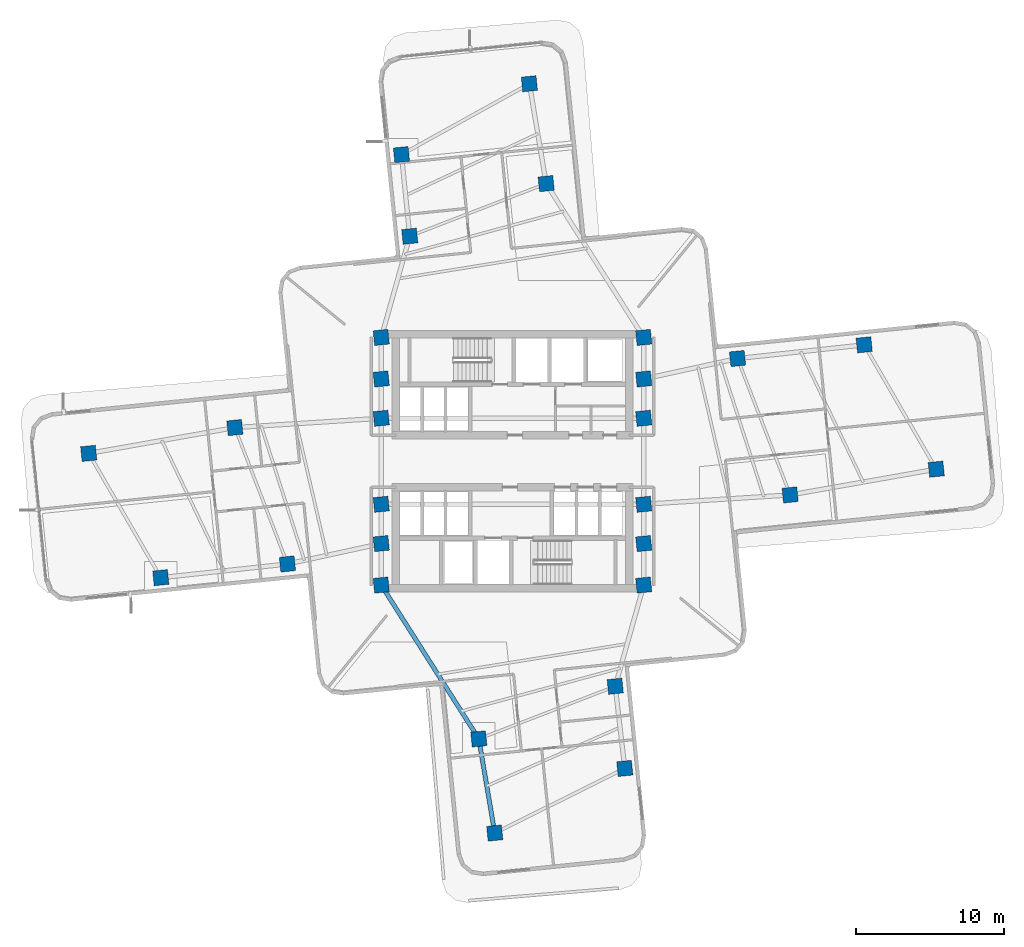
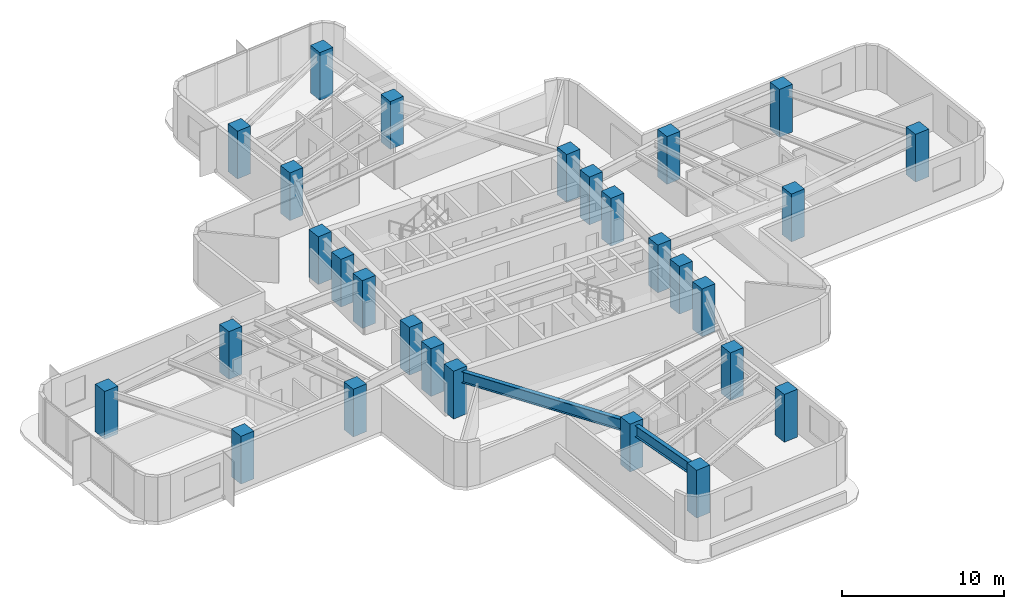
# One storey, part 1 of 14: 28 columns, 2 beams.
"""IFC4 building model written with IfcOpenShell, lengths in metres."""

from ifc_helpers import new_model, si_unit, direction, frame, origin, origin_2d, place, context, subcontext, project, spatial, rectangle, i_section, extrude, material, material_profile, profile_set, type_object, element, save


model = new_model("IFC4")

# Units and contexts
model_context = context("Model", 3, precision=1e-05, world=origin(), true_north=direction((0.0, 1.0)))
body_context = subcontext(model_context, "Body", "Model", "MODEL_VIEW")
ifc_project = project(units=[si_unit("LENGTHUNIT", "METRE"), si_unit("AREAUNIT", "SQUARE_METRE"), si_unit("VOLUMEUNIT", "CUBIC_METRE"), si_unit("PLANEANGLEUNIT", "RADIAN"), si_unit("MASSUNIT", "GRAM", prefix="KILO")], contexts=[model_context])

# Site, building, storey
site_placement = place(None, origin())
site = spatial("IfcSite", under=ifc_project, at=site_placement, CompositionType="ELEMENT")
building_placement = place(site_placement, origin())
building = spatial("IfcBuilding", under=site, at=building_placement, Name="Solmarez Civic Tower", CompositionType="ELEMENT")
storey_placement = place(building_placement, frame((0.0, 0.0, 67.679931640625)))
storey = spatial("IfcBuildingStorey", under=building, at=storey_placement, Name="L17", CompositionType="ELEMENT", Elevation=67.679931640625)

# Columns
ifc_material_1 = material(Name="Concrete C60/75", Category="concrete")
ifc_material_profile_1 = material_profile(ifc_material_1, rectangle(XDim=1.0, YDim=1.0, at=origin_2d()), Name="RC1000X1000")
ifc_profile_set_1 = profile_set([ifc_material_profile_1], Name="Concrete C60/75")
column_type = type_object("IfcColumnType", Name="COL-RC1000", PredefinedType="COLUMN", material=ifc_profile_set_1)
for number, where, z_axis, x_axis, name in (
    (1, (-8.85009765625, -5.550048828125, 0.0), (0.0, 0.0, 1.0), (0.994880708829, 0.101056297183, 0.0), "L17 Structural Column HC1"),
    (2, (-8.85009765625, -2.89990234375, 0.0), (0.0, 0.0, 1.0), (0.994880708829, 0.101056297183, 0.0), "L17 Structural Column HC2"),
    (3, (-8.85009765625, 2.89990234375, 0.0), (0.0, 0.0, 1.0), (0.994880708829, 0.101056297183, 0.0), "L17 Structural Column HC3"),
    (4, (-8.85009765625, 5.550048828125, 0.0), (0.0, 0.0, 1.0), (0.994880708829, 0.101056297183, 0.0), "L17 Structural Column HC4"),
    (5, (8.85009765625, -5.550048828125, 0.0), (0.0, 0.0, 1.0), (0.994880708829, 0.101056297183, 0.0), "L17 Structural Column HC5"),
    (6, (8.85009765625, -2.89990234375, 0.0), (0.0, 0.0, 1.0), (0.994880708829, 0.101056297183, 0.0), "L17 Structural Column HC6"),
    (7, (8.85009765625, 2.89990234375, 0.0), (0.0, 0.0, 1.0), (0.994880708829, 0.101056297183, 0.0), "L17 Structural Column HC7"),
    (8, (8.85009765625, 5.550048828125, 0.0), (0.0, 0.0, 1.0), (0.994880708829, 0.101056297183, 0.0), "L17 Structural Column HC8"),
    (9, (-8.85009765625, 8.35009765625, 0.0), (0.0, 0.0, 1.0), (0.994880708829, 0.101056297183, 0.0), "L17 Structural Column HC9"),
    (10, (8.85009765625, -8.35009765625, 0.0), (0.0, 0.0, 1.0), (0.994880708829, 0.101056297183, 0.0), "L17 Structural Column HC10"),
    (11, (8.85009765625, 8.35009765625, 0.0), (0.0, 0.0, 1.0), (0.994880708829, 0.101056297183, 0.0), "L17 Structural Column HC11"),
    (12, (-8.85009765625, -8.35009765625, 0.0), (0.0, 0.0, 1.0), (0.994880708829, 0.101056297183, 0.0), "L17 Structural Column HC12"),
    (13, (18.72412109375, -2.27099609375, 0.0), (0.0, 0.0, 1.0), (0.994880708829, 0.101056297183, 0.0), "L17 Structural Column EA11"),
    (14, (15.175048828125, 6.927001953125, 0.0), (0.0, 0.0, 1.0), (0.994880708829, 0.101056297183, 0.0), "L17 Structural Column EA12"),
    (15, (28.575927734375, -0.532958984375, 0.0), (0.0, 0.0, 1.0), (0.994880708829, 0.101056297183, 0.0), "L17 Structural Column EA21"),
    (16, (23.715087890625, 7.85107421875, 0.0), (0.0, 0.0, 1.0), (0.994880708829, 0.101056297183, 0.0), "L17 Structural Column EA22"),
    (17, (2.27099609375, 18.72412109375, 0.0), (0.0, 0.0, 1.0), (0.994880708829, 0.101056297183, 0.0), "L17 Structural Column NA11"),
    (18, (-6.927001953125, 15.175048828125, 0.0), (0.0, 0.0, 1.0), (0.994880708829, 0.101056297183, 0.0), "L17 Structural Column NA12"),
    (19, (1.138916015625, 25.45703125, 0.0), (0.0, 0.0, 1.0), (0.994880708829, 0.101056297183, 0.0), "L17 Structural Column NA21"),
    (20, (-7.489013671875, 20.678955078125, 0.0), (0.0, 0.0, 1.0), (0.994880708829, 0.101056297183, 0.0), "L17 Structural Column NA22"),
    (21, (-18.72412109375, 2.27099609375, 0.0), (0.0, 0.0, 1.0), (0.994880708829, 0.101056297183, 0.0), "L17 Structural Column WA11"),
    (22, (-15.175048828125, -6.927001953125, 0.0), (0.0, 0.0, 1.0), (0.994880708829, 0.101056297183, 0.0), "L17 Structural Column WA12"),
    (23, (-28.575927734375, 0.532958984375, 0.0), (0.0, 0.0, 1.0), (0.994880708829, 0.101056297183, 0.0), "L17 Structural Column WA21"),
    (24, (-23.715087890625, -7.85107421875, 0.0), (0.0, 0.0, 1.0), (0.994880708829, 0.101056297183, 0.0), "L17 Structural Column WA22"),
    (25, (-2.27099609375, -18.72412109375, 0.0), (0.0, 0.0, 1.0), (0.994880708829, 0.101056297183, 0.0), "L17 Structural Column SA11"),
    (26, (6.927001953125, -15.175048828125, 0.0), (0.0, 0.0, 1.0), (0.994880708829, 0.101056297183, 0.0), "L17 Structural Column SA12"),
    (27, (-1.195068359375, -25.073974609375, 0.0), (0.0, 0.0, 1.0), (0.994880708829, 0.101056297183, 0.0), "L17 Structural Column SA21"),
    (28, (7.573974609375, -20.714111328125, 0.0), (0.0, 0.0, 1.0), (0.994880708829, 0.101056297183, 0.0), "L17 Structural Column SA22"),
):
    element("IfcColumn", number, at=place(storey_placement, frame(where, z_axis=z_axis, x_axis=x_axis)), inside=storey, type_object=column_type, Name=name, PredefinedType="COLUMN", context=body_context, shape_type="SweptSolid", body=[
        extrude(rectangle(XDim=1.0, YDim=1.0, at=origin_2d()), origin(), (0.0, 0.0, 1.0), 3.60009765625),
    ])

# Beams
ifc_material_2 = material(Name="Steel S355", Category="steel")
ifc_material_profile_2 = material_profile(ifc_material_2, i_section(OverallWidth=0.2919921875, OverallDepth=0.845947265625, WebThickness=0.015380859375, FlangeThickness=0.0244140625, at=origin_2d()), Name="W33X141")
ifc_profile_set_2 = profile_set([ifc_material_profile_2], Name="Steel S355")
beam_type = type_object("IfcBeamType", Name="BM-PR-W33X141", PredefinedType="BEAM", material=ifc_profile_set_2)
beam_1_placement = place(storey_placement, frame((-8.85009765625, -8.35009765625, 2.9169921875), z_axis=(0.535568299099, -0.84449191648, 0.0), x_axis=(0.84449191648, 0.535568299099, 0.0)))
element("IfcBeam", 29, at=beam_1_placement, inside=storey, type_object=beam_type, Name="L17 Primary Floor Beam BM-L17-SA-R1A", PredefinedType="BEAM", context=body_context, shape_type="SweptSolid", body=[
    extrude(i_section(OverallWidth=0.2919921875, OverallDepth=0.845947265625, WebThickness=0.015380859375, FlangeThickness=0.0244140625, at=origin_2d()), origin(), (0.0, 0.0, 1.0), 12.284423828125),
])
beam_2_placement = place(storey_placement, frame((-2.27099609375, -18.72412109375, 2.9169921875), z_axis=(0.167060138422, -0.985946707561, 0.0), x_axis=(0.985946707561, 0.167060138422, 0.0)))
element("IfcBeam", 30, at=beam_2_placement, inside=storey, type_object=beam_type, Name="L17 Primary Floor Beam BM-L17-SA-R2A", PredefinedType="BEAM", context=body_context, shape_type="SweptSolid", body=[
    extrude(i_section(OverallWidth=0.2919921875, OverallDepth=0.845947265625, WebThickness=0.015380859375, FlangeThickness=0.0244140625, at=origin_2d()), origin(), (0.0, 0.0, 1.0), 6.4404296875),
])

save(model, "model.ifc")
